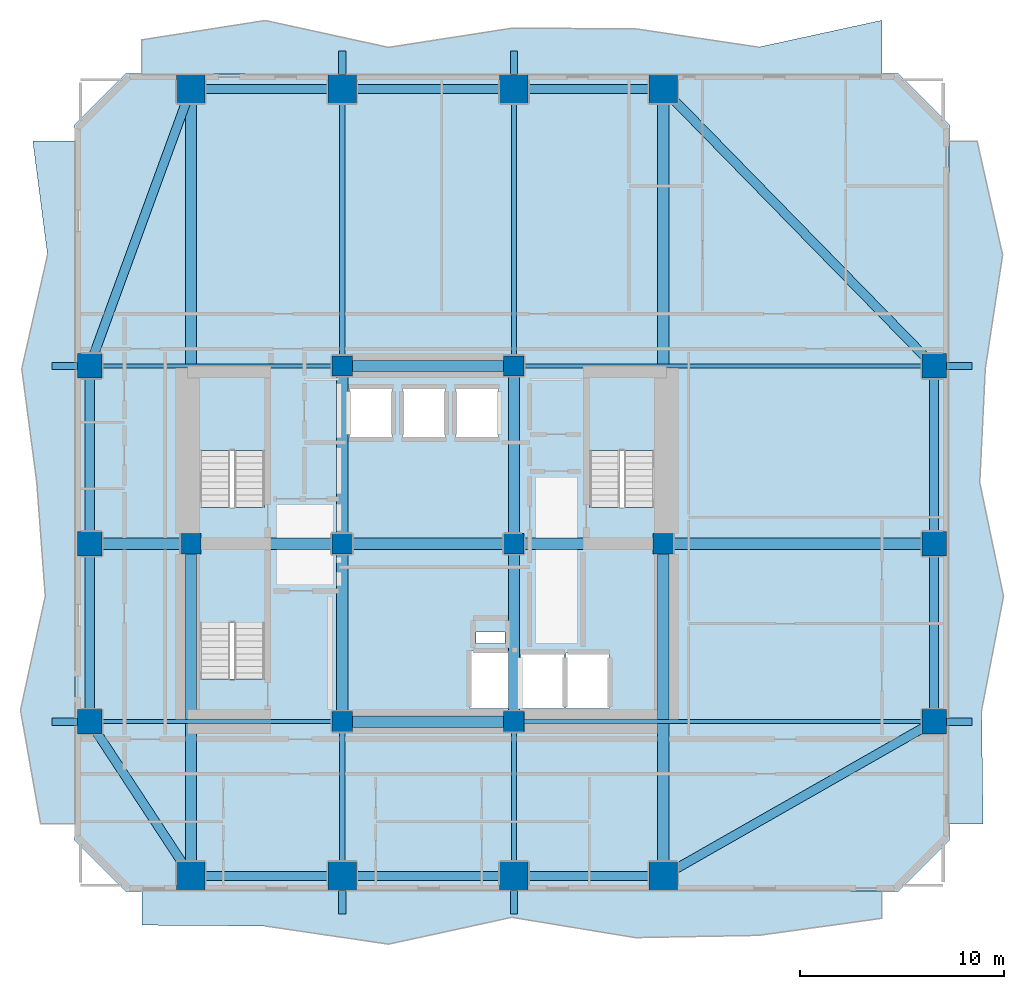
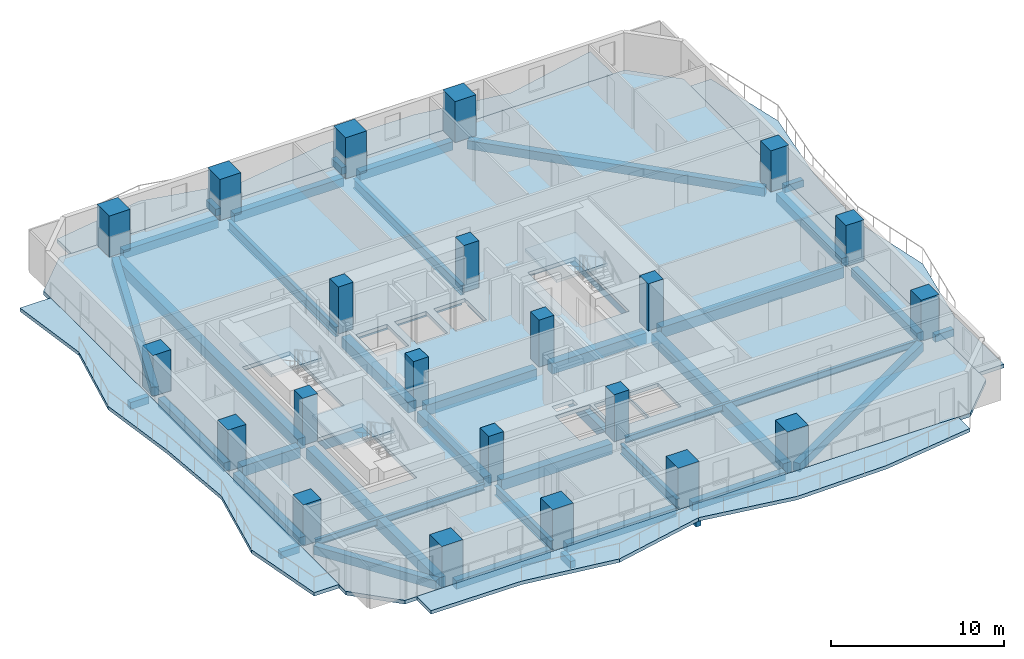
# One storey, part 1 of 10: 45 beams, 22 columns, 8 slabs, 3 elements without a shape of their own.
"""IFC4 building model written with IfcOpenShell, lengths in metres."""

from ifc_helpers import new_model, si_unit, direction, frame, origin, origin_2d, place, context, subcontext, project, spatial, polyline, rectangle, i_section, outline, extrude, material, layer, layer_set, material_profile, profile_set, type_object, element, aggregate, save


model = new_model("IFC4")

# Units and contexts
model_context = context("Model", 3, precision=1e-05, world=origin(), true_north=direction((0.0, 1.0)))
body_context = subcontext(model_context, "Body", "Model", "MODEL_VIEW")
ifc_project = project(units=[si_unit("LENGTHUNIT", "METRE"), si_unit("AREAUNIT", "SQUARE_METRE"), si_unit("VOLUMEUNIT", "CUBIC_METRE"), si_unit("PLANEANGLEUNIT", "RADIAN"), si_unit("MASSUNIT", "GRAM", prefix="KILO")], contexts=[model_context])

# Site, building, storey
site_placement = place(None, origin())
site = spatial("IfcSite", under=ifc_project, at=site_placement, CompositionType="ELEMENT")
building_placement = place(site_placement, origin())
building = spatial("IfcBuilding", under=site, at=building_placement, Name="Solanera Arch Residences", CompositionType="ELEMENT")
storey_placement = place(building_placement, frame((0.0, 0.0, 78.43994140625)))
storey = spatial("IfcBuildingStorey", under=building, at=storey_placement, Name="L22", CompositionType="ELEMENT", Elevation=78.43994140625)

# Columns
ifc_material_1 = material(Name="Concrete C55/67 (f'c = 60 MPa)", Category="concrete")
ifc_material_profile_1 = material_profile(ifc_material_1, rectangle(XDim=1.0, YDim=1.0, at=origin_2d()))
ifc_profile_set_1 = profile_set([ifc_material_profile_1], Name="Concrete C55/67 (f'c = 60 MPa)")
column_type_1 = type_object("IfcColumnType", Name="Structural Column RC-COL-1000X1000", PredefinedType="COLUMN", material=ifc_profile_set_1)
for number, where, z_axis, x_axis, name in (
    (1, (20.800048828125, 22.0, 0.0), (0.0, 0.0, 1.0), (1.0, 0.0, 0.0), "COL-L22-CB-SW"),
    (2, (29.199951171875, 22.0, 0.0), (0.0, 0.0, 1.0), (1.0, 0.0, 0.0), "COL-L22-CB-SE"),
    (3, (20.800048828125, 39.39990234375, 0.0), (0.0, 0.0, 1.0), (1.0, 0.0, 0.0), "COL-L22-CB-NW"),
    (4, (29.199951171875, 39.39990234375, 0.0), (0.0, 0.0, 1.0), (1.0, 0.0, 0.0), "COL-L22-CB-NE"),
    (5, (13.39990234375, 30.699951171875, 0.0), (0.0, 0.0, 1.0), (1.0, 0.0, 0.0), "COL-L22-CB-WW"),
    (6, (36.5, 30.699951171875, 0.0), (0.0, 0.0, 1.0), (1.0, 0.0, 0.0), "COL-L22-CB-EE"),
    (7, (20.800048828125, 30.699951171875, 0.0), (0.0, 0.0, 1.0), (1.0, 0.0, 0.0), "COL-L22-CORE-W"),
    (8, (29.199951171875, 30.699951171875, 0.0), (0.0, 0.0, 1.0), (1.0, 0.0, 0.0), "COL-L22-CORE-E"),
):
    element("IfcColumn", number, at=place(storey_placement, frame(where, z_axis=z_axis, x_axis=x_axis)), inside=storey, type_object=column_type_1, Name=name, PredefinedType="COLUMN", context=body_context, shape_type="SweptSolid", body=[
        extrude(rectangle(XDim=1.0, YDim=1.0, at=origin_2d()), origin(), (0.0, 0.0, 1.0), 3.320068359375),
    ])
ifc_material_2 = material(Name="Concrete C55/67 (f'c = 60 MPa)", Category="concrete")
ifc_material_profile_2 = material_profile(ifc_material_2, rectangle(XDim=1.199951171875, YDim=1.199951171875, at=origin_2d()))
ifc_profile_set_2 = profile_set([ifc_material_profile_2], Name="Concrete C55/67 (f'c = 60 MPa)")
column_type_2 = type_object("IfcColumnType", Name="Structural Column RC-COL-1200X1200", PredefinedType="COLUMN", material=ifc_profile_set_2)
for number, where, z_axis, x_axis, name in (
    (9, (8.449951171875, 22.0, 0.0), (0.0, 0.0, 1.0), (1.0, 0.0, 0.0), "COL-L22-TWR-09"),
    (10, (49.75, 22.0, 0.0), (0.0, 0.0, 1.0), (1.0, 0.0, 0.0), "COL-L22-TWR-10"),
    (11, (8.449951171875, 30.699951171875, 0.0), (0.0, 0.0, 1.0), (1.0, 0.0, 0.0), "COL-L22-TWR-11"),
    (12, (49.75, 30.699951171875, 0.0), (0.0, 0.0, 1.0), (1.0, 0.0, 0.0), "COL-L22-TWR-12"),
    (13, (8.449951171875, 39.39990234375, 0.0), (0.0, 0.0, 1.0), (1.0, 0.0, 0.0), "COL-L22-TWR-13"),
    (14, (49.75, 39.39990234375, 0.0), (0.0, 0.0, 1.0), (1.0, 0.0, 0.0), "COL-L22-TWR-14"),
):
    element("IfcColumn", number, at=place(storey_placement, frame(where, z_axis=z_axis, x_axis=x_axis)), inside=storey, type_object=column_type_2, Name=name, PredefinedType="COLUMN", context=body_context, shape_type="SweptSolid", body=[
        extrude(rectangle(XDim=1.199951171875, YDim=1.199951171875, at=origin_2d()), origin(), (0.0, 0.0, 1.0), 2.900146484375),
    ])
ifc_material_3 = material(Name="Concrete C55/67 (f'c = 60 MPa)", Category="concrete")
ifc_material_profile_3 = material_profile(ifc_material_3, rectangle(XDim=1.39990234375, YDim=1.39990234375, at=origin_2d()))
ifc_profile_set_3 = profile_set([ifc_material_profile_3], Name="Concrete C55/67 (f'c = 60 MPa)")
column_type_3 = type_object("IfcColumnType", Name="Structural Column RC-COL-1400X1400", PredefinedType="COLUMN", material=ifc_profile_set_3)
for number, where, z_axis, x_axis, name in (
    (15, (13.39990234375, 14.449951171875, 0.0), (0.0, 0.0, 1.0), (1.0, 0.0, 0.0), "COL-L22-TWR-01"),
    (16, (13.39990234375, 52.949951171875, 0.0), (0.0, 0.0, 1.0), (1.0, 0.0, 0.0), "COL-L22-TWR-02"),
    (17, (20.800048828125, 14.449951171875, 0.0), (0.0, 0.0, 1.0), (1.0, 0.0, 0.0), "COL-L22-TWR-03"),
    (18, (20.800048828125, 52.949951171875, 0.0), (0.0, 0.0, 1.0), (1.0, 0.0, 0.0), "COL-L22-TWR-04"),
    (19, (29.199951171875, 14.449951171875, 0.0), (0.0, 0.0, 1.0), (1.0, 0.0, 0.0), "COL-L22-TWR-05"),
    (20, (29.199951171875, 52.949951171875, 0.0), (0.0, 0.0, 1.0), (1.0, 0.0, 0.0), "COL-L22-TWR-06"),
    (21, (36.5, 14.449951171875, 0.0), (0.0, 0.0, 1.0), (1.0, 0.0, 0.0), "COL-L22-TWR-07"),
    (22, (36.5, 52.949951171875, 0.0), (0.0, 0.0, 1.0), (1.0, 0.0, 0.0), "COL-L22-TWR-08"),
):
    element("IfcColumn", number, at=place(storey_placement, frame(where, z_axis=z_axis, x_axis=x_axis)), inside=storey, type_object=column_type_3, Name=name, PredefinedType="COLUMN", context=body_context, shape_type="SweptSolid", body=[
        extrude(rectangle(XDim=1.39990234375, YDim=1.39990234375, at=origin_2d()), origin(), (0.0, 0.0, 1.0), 2.900146484375),
    ])

# Beams
ifc_material_4 = material(Name="Concrete C40/50 (f'c = 45 MPa)", Category="concrete")
ifc_material_profile_4 = material_profile(ifc_material_4, rectangle(XDim=0.35009765625, YDim=0.5, at=origin_2d()))
ifc_profile_set_4 = profile_set([ifc_material_profile_4], Name="Concrete C40/50 (f'c = 45 MPa)")
beam_type_1 = type_object("IfcBeamType", Name="BM-BALC-RIB", PredefinedType="BEAM", material=ifc_profile_set_4)
for number, where, z_axis, x_axis, name in (
    (23, (20.800048828125, 12.60009765625, -0.5), (0.0, 1.0, 0.0), (-1.0, 0.0, 0.0), "BM-L22-BRIB-S1"),
    (24, (29.199951171875, 12.60009765625, -0.5), (0.0, 1.0, 0.0), (-1.0, 0.0, 0.0), "BM-L22-BRIB-S2"),
):
    element("IfcBeam", number, at=place(storey_placement, frame(where, z_axis=z_axis, x_axis=x_axis)), inside=storey, type_object=beam_type_1, Name=name, PredefinedType="BEAM", context=body_context, shape_type="SweptSolid", body=[
        extrude(rectangle(XDim=0.35009765625, YDim=0.5, at=origin_2d()), origin(), (0.0, 0.0, 1.0), 1.14990234375),
    ])
for number, where, z_axis, x_axis, name in (
    (25, (20.800048828125, 53.64990234375, -0.5), (0.0, 1.0, 0.0), (-1.0, 0.0, 0.0), "BM-L22-BRIB-N1"),
    (26, (29.199951171875, 53.64990234375, -0.5), (0.0, 1.0, 0.0), (-1.0, 0.0, 0.0), "BM-L22-BRIB-N2"),
):
    element("IfcBeam", number, at=place(storey_placement, frame(where, z_axis=z_axis, x_axis=x_axis)), inside=storey, type_object=beam_type_1, Name=name, PredefinedType="BEAM", context=body_context, shape_type="SweptSolid", body=[
        extrude(rectangle(XDim=0.35009765625, YDim=0.5, at=origin_2d()), origin(), (0.0, 0.0, 1.0), 1.150146484375),
    ])
for number, where, z_axis, x_axis, name in (
    (27, (50.35009765625, 22.0, -0.5), (1.0, 0.0, 0.0), (0.0, 1.0, 0.0), "BM-L22-BRIB-E1"),
    (28, (50.35009765625, 39.39990234375, -0.5), (1.0, 0.0, 0.0), (0.0, 1.0, 0.0), "BM-L22-BRIB-E2"),
    (29, (6.60009765625, 22.0, -0.5), (1.0, 0.0, 0.0), (0.0, 1.0, 0.0), "BM-L22-BRIB-W1"),
    (30, (6.60009765625, 39.39990234375, -0.5), (1.0, 0.0, 0.0), (0.0, 1.0, 0.0), "BM-L22-BRIB-W2"),
):
    element("IfcBeam", number, at=place(storey_placement, frame(where, z_axis=z_axis, x_axis=x_axis)), inside=storey, type_object=beam_type_1, Name=name, PredefinedType="BEAM", context=body_context, shape_type="SweptSolid", body=[
        extrude(rectangle(XDim=0.35009765625, YDim=0.5, at=origin_2d()), origin(), (0.0, 0.0, 1.0), 1.25),
    ])
ifc_material_5 = material(Name="Concrete C40/50 (f'c = 45 MPa)", Category="concrete")
ifc_material_profile_5 = material_profile(ifc_material_5, rectangle(XDim=0.550048828125, YDim=0.75, at=origin_2d()))
ifc_profile_set_5 = profile_set([ifc_material_profile_5], Name="Concrete C40/50 (f'c = 45 MPa)")
beam_type_2 = type_object("IfcBeamType", Name="Primary Beam RC-BM-550X750", PredefinedType="BEAM", material=ifc_profile_set_5)
beam_1_placement = place(storey_placement, frame((20.800048828125, 22.50390625, -0.635009765625), z_axis=(0.0, 1.0, 0.0), x_axis=(-1.0, 0.0, 0.0)))
element("IfcBeam", 31, at=beam_1_placement, inside=storey, type_object=beam_type_2, Name="BM-L22-CC-S-208", PredefinedType="BEAM", context=body_context, shape_type="SweptSolid", body=[
    extrude(rectangle(XDim=0.550048828125, YDim=0.75, at=origin_2d()), origin(), (0.0, 0.0, 1.0), 7.692138671875),
])
beam_2_placement = place(storey_placement, frame((20.800048828125, 31.2041015625, -0.635009765625), z_axis=(0.0, 1.0, 0.0), x_axis=(-1.0, 0.0, 0.0)))
element("IfcBeam", 32, at=beam_2_placement, inside=storey, type_object=beam_type_2, Name="BM-L22-CC-N-208", PredefinedType="BEAM", context=body_context, shape_type="SweptSolid", body=[
    extrude(rectangle(XDim=0.550048828125, YDim=0.75, at=origin_2d()), origin(), (0.0, 0.0, 1.0), 7.69189453125),
])
beam_3_placement = place(storey_placement, frame((29.199951171875, 22.50390625, -0.635009765625), z_axis=(0.0, 1.0, 0.0), x_axis=(-1.0, 0.0, 0.0)))
element("IfcBeam", 33, at=beam_3_placement, inside=storey, type_object=beam_type_2, Name="BM-L22-CC-S-292", PredefinedType="BEAM", context=body_context, shape_type="SweptSolid", body=[
    extrude(rectangle(XDim=0.550048828125, YDim=0.75, at=origin_2d()), origin(), (0.0, 0.0, 1.0), 7.692138671875),
])
beam_4_placement = place(storey_placement, frame((29.199951171875, 31.2041015625, -0.635009765625), z_axis=(0.0, 1.0, 0.0), x_axis=(-1.0, 0.0, 0.0)))
element("IfcBeam", 34, at=beam_4_placement, inside=storey, type_object=beam_type_2, Name="BM-L22-CC-N-292", PredefinedType="BEAM", context=body_context, shape_type="SweptSolid", body=[
    extrude(rectangle(XDim=0.550048828125, YDim=0.75, at=origin_2d()), origin(), (0.0, 0.0, 1.0), 7.69189453125),
])
for number, where, z_axis, x_axis, name in (
    (35, (21.303955078125, 22.0, -0.635009765625), (1.0, 0.0, 0.0), (0.0, 1.0, 0.0), "BM-L22-CC-M-220"),
    (36, (21.303955078125, 30.699951171875, -0.635009765625), (1.0, 0.0, 0.0), (0.0, 1.0, 0.0), "BM-L22-CC-M-307"),
    (37, (21.303955078125, 39.39990234375, -0.635009765625), (1.0, 0.0, 0.0), (0.0, 1.0, 0.0), "BM-L22-CC-M-394"),
):
    element("IfcBeam", number, at=place(storey_placement, frame(where, z_axis=z_axis, x_axis=x_axis)), inside=storey, type_object=beam_type_2, Name=name, PredefinedType="BEAM", context=body_context, shape_type="SweptSolid", body=[
        extrude(rectangle(XDim=0.550048828125, YDim=0.75, at=origin_2d()), origin(), (0.0, 0.0, 1.0), 7.39208984375),
    ])
beam_5_placement = place(storey_placement, frame((13.904052734375, 30.699951171875, -0.635009765625), z_axis=(1.0, 0.0, 0.0), x_axis=(0.0, 1.0, 0.0)))
element("IfcBeam", 38, at=beam_5_placement, inside=storey, type_object=beam_type_2, Name="BM-L22-CC-W", PredefinedType="BEAM", context=body_context, shape_type="SweptSolid", body=[
    extrude(rectangle(XDim=0.550048828125, YDim=0.75, at=origin_2d()), origin(), (0.0, 0.0, 1.0), 6.391845703125),
])
beam_6_placement = place(storey_placement, frame((29.7041015625, 30.699951171875, -0.635009765625), z_axis=(1.0, 0.0, 0.0), x_axis=(0.0, 1.0, 0.0)))
element("IfcBeam", 39, at=beam_6_placement, inside=storey, type_object=beam_type_2, Name="BM-L22-CC-E", PredefinedType="BEAM", context=body_context, shape_type="SweptSolid", body=[
    extrude(rectangle(XDim=0.550048828125, YDim=0.75, at=origin_2d()), origin(), (0.0, 0.0, 1.0), 6.2919921875),
])
beam_7_placement = place(storey_placement, frame((13.39990234375, 14.989990234375, -0.635009765625), z_axis=(0.0, 1.0, 0.0), x_axis=(-1.0, 0.0, 0.0)))
element("IfcBeam", 40, at=beam_7_placement, inside=storey, type_object=beam_type_2, Name="BM-L22-RAD-OS-134", PredefinedType="BEAM", context=body_context, shape_type="SweptSolid", body=[
    extrude(rectangle(XDim=0.550048828125, YDim=0.75, at=origin_2d()), origin(), (0.0, 0.0, 1.0), 15.2060546875),
])
beam_8_placement = place(storey_placement, frame((13.39990234375, 31.2041015625, -0.635009765625), z_axis=(0.0, 1.0, 0.0), x_axis=(-1.0, 0.0, 0.0)))
element("IfcBeam", 41, at=beam_8_placement, inside=storey, type_object=beam_type_2, Name="BM-L22-RAD-ON-134", PredefinedType="BEAM", context=body_context, shape_type="SweptSolid", body=[
    extrude(rectangle(XDim=0.550048828125, YDim=0.75, at=origin_2d()), origin(), (0.0, 0.0, 1.0), 21.205810546875),
])
beam_9_placement = place(storey_placement, frame((36.5, 14.989990234375, -0.635009765625), z_axis=(0.0, 1.0, 0.0), x_axis=(-1.0, 0.0, 0.0)))
element("IfcBeam", 42, at=beam_9_placement, inside=storey, type_object=beam_type_2, Name="BM-L22-RAD-OS-365", PredefinedType="BEAM", context=body_context, shape_type="SweptSolid", body=[
    extrude(rectangle(XDim=0.550048828125, YDim=0.75, at=origin_2d()), origin(), (0.0, 0.0, 1.0), 15.2060546875),
])
beam_10_placement = place(storey_placement, frame((36.5, 31.2041015625, -0.635009765625), z_axis=(0.0, 1.0, 0.0), x_axis=(-1.0, 0.0, 0.0)))
element("IfcBeam", 43, at=beam_10_placement, inside=storey, type_object=beam_type_2, Name="BM-L22-RAD-ON-365", PredefinedType="BEAM", context=body_context, shape_type="SweptSolid", body=[
    extrude(rectangle(XDim=0.550048828125, YDim=0.75, at=origin_2d()), origin(), (0.0, 0.0, 1.0), 21.205810546875),
])
beam_11_placement = place(storey_placement, frame((8.989990234375, 30.699951171875, -0.635009765625), z_axis=(1.0, 0.0, 0.0), x_axis=(0.0, 1.0, 0.0)))
element("IfcBeam", 44, at=beam_11_placement, inside=storey, type_object=beam_type_2, Name="BM-L22-RAD-MW", PredefinedType="BEAM", context=body_context, shape_type="SweptSolid", body=[
    extrude(rectangle(XDim=0.550048828125, YDim=0.75, at=origin_2d()), origin(), (0.0, 0.0, 1.0), 3.906005859375),
])
beam_12_placement = place(storey_placement, frame((37.00390625, 30.699951171875, -0.635009765625), z_axis=(1.0, 0.0, 0.0), x_axis=(0.0, 1.0, 0.0)))
element("IfcBeam", 45, at=beam_12_placement, inside=storey, type_object=beam_type_2, Name="BM-L22-RAD-ME", PredefinedType="BEAM", context=body_context, shape_type="SweptSolid", body=[
    extrude(rectangle(XDim=0.550048828125, YDim=0.75, at=origin_2d()), origin(), (0.0, 0.0, 1.0), 12.2060546875),
])
ifc_material_6 = material(Name="Steel S355 (ASTM A992 / A572 Grade 50)", Category="steel")
ifc_material_profile_6 = material_profile(ifc_material_6, i_section(OverallWidth=0.256103515625, OverallDepth=0.693115234375, WebThickness=0.014404296875, FlangeThickness=0.023681640625, at=origin_2d()))
ifc_profile_set_6 = profile_set([ifc_material_profile_6], Name="Steel S355 (ASTM A992 / A572 Grade 50)")
beam_type_3 = type_object("IfcBeamType", Name="Primary Beam W690X170", PredefinedType="BEAM", material=ifc_profile_set_6)
beam_13_placement = place(storey_placement, frame((20.800048828125, 14.989990234375, -0.60595703125), z_axis=(0.0, 1.0, 0.0), x_axis=(-1.0, 0.0, 0.0)))
element("IfcBeam", 46, at=beam_13_placement, inside=storey, type_object=beam_type_3, Name="BM-L22-RAD-S-208", PredefinedType="BEAM", context=body_context, shape_type="SweptSolid", body=[
    extrude(i_section(OverallWidth=0.256103515625, OverallDepth=0.693115234375, WebThickness=0.014404296875, FlangeThickness=0.023681640625, at=origin_2d()), origin(), (0.0, 0.0, 1.0), 6.506103515625),
])
beam_14_placement = place(storey_placement, frame((20.800048828125, 39.904052734375, -0.60595703125), z_axis=(0.0, 1.0, 0.0), x_axis=(-1.0, 0.0, 0.0)))
element("IfcBeam", 47, at=beam_14_placement, inside=storey, type_object=beam_type_3, Name="BM-L22-RAD-N-208", PredefinedType="BEAM", context=body_context, shape_type="SweptSolid", body=[
    extrude(i_section(OverallWidth=0.256103515625, OverallDepth=0.693115234375, WebThickness=0.014404296875, FlangeThickness=0.023681640625, at=origin_2d()), origin(), (0.0, 0.0, 1.0), 12.505859375),
])
beam_15_placement = place(storey_placement, frame((29.199951171875, 14.989990234375, -0.60595703125), z_axis=(0.0, 1.0, 0.0), x_axis=(-1.0, 0.0, 0.0)))
element("IfcBeam", 48, at=beam_15_placement, inside=storey, type_object=beam_type_3, Name="BM-L22-RAD-S-292", PredefinedType="BEAM", context=body_context, shape_type="SweptSolid", body=[
    extrude(i_section(OverallWidth=0.256103515625, OverallDepth=0.693115234375, WebThickness=0.014404296875, FlangeThickness=0.023681640625, at=origin_2d()), origin(), (0.0, 0.0, 1.0), 6.506103515625),
])
beam_16_placement = place(storey_placement, frame((29.199951171875, 39.904052734375, -0.60595703125), z_axis=(0.0, 1.0, 0.0), x_axis=(-1.0, 0.0, 0.0)))
element("IfcBeam", 49, at=beam_16_placement, inside=storey, type_object=beam_type_3, Name="BM-L22-RAD-N-292", PredefinedType="BEAM", context=body_context, shape_type="SweptSolid", body=[
    extrude(i_section(OverallWidth=0.256103515625, OverallDepth=0.693115234375, WebThickness=0.014404296875, FlangeThickness=0.023681640625, at=origin_2d()), origin(), (0.0, 0.0, 1.0), 12.505859375),
])
ifc_material_7 = material(Name="Steel S355 (ASTM A992 / A572 Grade 50)", Category="steel")
ifc_material_profile_7 = material_profile(ifc_material_7, i_section(OverallWidth=0.19091796875, OverallDepth=0.4599609375, WebThickness=0.010009765625, FlangeThickness=0.01611328125, at=origin_2d()))
ifc_profile_set_7 = profile_set([ifc_material_profile_7], Name="Steel S355 (ASTM A992 / A572 Grade 50)")
beam_type_4 = type_object("IfcBeamType", Name="Secondary Joist W460X82", PredefinedType="JOIST", material=ifc_profile_set_7)
beam_17_placement = place(storey_placement, frame((8.989990234375, 22.0, -0.489990234375), z_axis=(1.0, 0.0, 0.0), x_axis=(0.0, 1.0, 0.0)))
element("IfcBeam", 50, at=beam_17_placement, inside=storey, type_object=beam_type_4, Name="BM-L22-RAD-W-220", PredefinedType="JOIST", context=body_context, shape_type="SweptSolid", body=[
    extrude(i_section(OverallWidth=0.19091796875, OverallDepth=0.4599609375, WebThickness=0.010009765625, FlangeThickness=0.01611328125, at=origin_2d()), origin(), (0.0, 0.0, 1.0), 11.305908203125),
])
beam_18_placement = place(storey_placement, frame((29.7041015625, 22.0, -0.489990234375), z_axis=(1.0, 0.0, 0.0), x_axis=(0.0, 1.0, 0.0)))
element("IfcBeam", 51, at=beam_18_placement, inside=storey, type_object=beam_type_4, Name="BM-L22-RAD-E-220", PredefinedType="JOIST", context=body_context, shape_type="SweptSolid", body=[
    extrude(i_section(OverallWidth=0.19091796875, OverallDepth=0.4599609375, WebThickness=0.010009765625, FlangeThickness=0.01611328125, at=origin_2d()), origin(), (0.0, 0.0, 1.0), 19.505859375),
])
beam_19_placement = place(storey_placement, frame((8.989990234375, 39.39990234375, -0.489990234375), z_axis=(1.0, 0.0, 0.0), x_axis=(0.0, 1.0, 0.0)))
element("IfcBeam", 52, at=beam_19_placement, inside=storey, type_object=beam_type_4, Name="BM-L22-RAD-W-394", PredefinedType="JOIST", context=body_context, shape_type="SweptSolid", body=[
    extrude(i_section(OverallWidth=0.19091796875, OverallDepth=0.4599609375, WebThickness=0.010009765625, FlangeThickness=0.01611328125, at=origin_2d()), origin(), (0.0, 0.0, 1.0), 11.305908203125),
])
beam_20_placement = place(storey_placement, frame((29.7041015625, 39.39990234375, -0.489990234375), z_axis=(1.0, 0.0, 0.0), x_axis=(0.0, 1.0, 0.0)))
element("IfcBeam", 53, at=beam_20_placement, inside=storey, type_object=beam_type_4, Name="BM-L22-RAD-E-394", PredefinedType="JOIST", context=body_context, shape_type="SweptSolid", body=[
    extrude(i_section(OverallWidth=0.19091796875, OverallDepth=0.4599609375, WebThickness=0.010009765625, FlangeThickness=0.01611328125, at=origin_2d()), origin(), (0.0, 0.0, 1.0), 19.505859375),
])
ifc_material_8 = material(Name="Concrete C40/50 (f'c = 45 MPa)", Category="concrete")
ifc_material_profile_8 = material_profile(ifc_material_8, rectangle(XDim=0.449951171875, YDim=0.60009765625, at=origin_2d()))
ifc_profile_set_8 = profile_set([ifc_material_profile_8], Name="Concrete C40/50 (f'c = 45 MPa)")
beam_type_5 = type_object("IfcBeamType", Name="Spandrel Beam RC-BM-450X600", PredefinedType="SPANDREL", material=ifc_profile_set_8)
for number, where, z_axis, x_axis, name in (
    (54, (13.93994140625, 14.449951171875, -0.56005859375), (1.0, 0.0, 0.0), (0.0, 1.0, 0.0), "BM-L22-SPN-S-1"),
    (55, (13.93994140625, 52.949951171875, -0.56005859375), (1.0, 0.0, 0.0), (0.0, 1.0, 0.0), "BM-L22-SPN-N-1"),
):
    element("IfcBeam", number, at=place(storey_placement, frame(where, z_axis=z_axis, x_axis=x_axis)), inside=storey, type_object=beam_type_5, Name=name, PredefinedType="SPANDREL", context=body_context, shape_type="SweptSolid", body=[
        extrude(rectangle(XDim=0.449951171875, YDim=0.60009765625, at=origin_2d()), origin(), (0.0, 0.0, 1.0), 6.320068359375),
    ])
for number, where, z_axis, x_axis, name in (
    (56, (21.340087890625, 14.449951171875, -0.56005859375), (1.0, 0.0, 0.0), (0.0, 1.0, 0.0), "BM-L22-SPN-S-2"),
    (57, (21.340087890625, 52.949951171875, -0.56005859375), (1.0, 0.0, 0.0), (0.0, 1.0, 0.0), "BM-L22-SPN-N-2"),
):
    element("IfcBeam", number, at=place(storey_placement, frame(where, z_axis=z_axis, x_axis=x_axis)), inside=storey, type_object=beam_type_5, Name=name, PredefinedType="SPANDREL", context=body_context, shape_type="SweptSolid", body=[
        extrude(rectangle(XDim=0.449951171875, YDim=0.60009765625, at=origin_2d()), origin(), (0.0, 0.0, 1.0), 7.31982421875),
    ])
for number, where, z_axis, x_axis, name in (
    (58, (29.739990234375, 14.449951171875, -0.56005859375), (1.0, 0.0, 0.0), (0.0, 1.0, 0.0), "BM-L22-SPN-S-3"),
    (59, (29.739990234375, 52.949951171875, -0.56005859375), (1.0, 0.0, 0.0), (0.0, 1.0, 0.0), "BM-L22-SPN-N-3"),
):
    element("IfcBeam", number, at=place(storey_placement, frame(where, z_axis=z_axis, x_axis=x_axis)), inside=storey, type_object=beam_type_5, Name=name, PredefinedType="SPANDREL", context=body_context, shape_type="SweptSolid", body=[
        extrude(rectangle(XDim=0.449951171875, YDim=0.60009765625, at=origin_2d()), origin(), (0.0, 0.0, 1.0), 6.219970703125),
    ])
for number, where, z_axis, x_axis, name in (
    (60, (8.449951171875, 22.5400390625, -0.56005859375), (0.0, 1.0, 0.0), (-1.0, 0.0, 0.0), "BM-L22-SPN-W-1"),
    (61, (49.75, 22.5400390625, -0.56005859375), (0.0, 1.0, 0.0), (-1.0, 0.0, 0.0), "BM-L22-SPN-E-1"),
):
    element("IfcBeam", number, at=place(storey_placement, frame(where, z_axis=z_axis, x_axis=x_axis)), inside=storey, type_object=beam_type_5, Name=name, PredefinedType="SPANDREL", context=body_context, shape_type="SweptSolid", body=[
        extrude(rectangle(XDim=0.449951171875, YDim=0.60009765625, at=origin_2d()), origin(), (0.0, 0.0, 1.0), 7.619873046875),
    ])
for number, where, z_axis, x_axis, name in (
    (62, (8.449951171875, 31.239990234375, -0.56005859375), (0.0, 1.0, 0.0), (-1.0, 0.0, 0.0), "BM-L22-SPN-W-2"),
    (63, (49.75, 31.239990234375, -0.56005859375), (0.0, 1.0, 0.0), (-1.0, 0.0, 0.0), "BM-L22-SPN-E-2"),
):
    element("IfcBeam", number, at=place(storey_placement, frame(where, z_axis=z_axis, x_axis=x_axis)), inside=storey, type_object=beam_type_5, Name=name, PredefinedType="SPANDREL", context=body_context, shape_type="SweptSolid", body=[
        extrude(rectangle(XDim=0.449951171875, YDim=0.60009765625, at=origin_2d()), origin(), (0.0, 0.0, 1.0), 7.6201171875),
    ])
beam_21_placement = place(storey_placement, frame((13.10400390625, 14.902099609375, -0.56005859375), z_axis=(-0.548346397052, 0.836251295269, 0.0), x_axis=(-0.836251295269, -0.548346397052, 0.0)))
element("IfcBeam", 64, at=beam_21_placement, inside=storey, type_object=beam_type_5, Name="BM-L22-SPN-SW", PredefinedType="SPANDREL", context=body_context, shape_type="SweptSolid", body=[
    extrude(rectangle(XDim=0.449951171875, YDim=0.60009765625, at=origin_2d()), origin(), (0.0, 0.0, 1.0), 7.947265625),
])
beam_22_placement = place(storey_placement, frame((13.215087890625, 52.443115234375, -0.56005859375), z_axis=(-0.343164401189, -0.939275355663, 0.0), x_axis=(0.939275355663, -0.343164401189, 0.0)))
element("IfcBeam", 65, at=beam_22_placement, inside=storey, type_object=beam_type_5, Name="BM-L22-SPN-NW", PredefinedType="SPANDREL", context=body_context, shape_type="SweptSolid", body=[
    extrude(rectangle(XDim=0.449951171875, YDim=0.60009765625, at=origin_2d()), origin(), (0.0, 0.0, 1.0), 13.3466796875),
])
beam_23_placement = place(storey_placement, frame((36.968994140625, 14.717041015625, -0.56005859375), z_axis=(0.868837301814, 0.495097710534, 0.0), x_axis=(-0.495097710534, 0.868837301814, 0.0)))
element("IfcBeam", 66, at=beam_23_placement, inside=storey, type_object=beam_type_5, Name="BM-L22-SPN-SE", PredefinedType="SPANDREL", context=body_context, shape_type="SweptSolid", body=[
    extrude(rectangle(XDim=0.449951171875, YDim=0.60009765625, at=origin_2d()), origin(), (0.0, 0.0, 1.0), 14.170654296875),
])
beam_24_placement = place(storey_placement, frame((36.8779296875, 52.56396484375, -0.56005859375), z_axis=(0.699118252724, -0.715006062008, 0.0), x_axis=(0.715006062008, 0.699118252724, 0.0)))
element("IfcBeam", 67, at=beam_24_placement, inside=storey, type_object=beam_type_5, Name="BM-L22-SPN-NE", PredefinedType="SPANDREL", context=body_context, shape_type="SweptSolid", body=[
    extrude(rectangle(XDim=0.449951171875, YDim=0.60009765625, at=origin_2d()), origin(), (0.0, 0.0, 1.0), 17.871337890625),
])

# Slabs
ifc_material_9 = material(Name="Concrete C40/50 (f'c = 45 MPa)", Category="concrete")
ifc_layer_1 = layer(ifc_material_9, 0.25)
ifc_layer_set_1 = layer_set([ifc_layer_1], Name="Concrete C40/50 (f'c = 45 MPa)")
slab_type_1 = type_object("IfcSlabType", Name="Balcony Slab 250", PredefinedType="FLOOR", material=ifc_layer_set_1)
slab_1_placement = place(storey_placement, frame((0.0, 0.0, -0.25)))
element("IfcSlab", 68, at=slab_1_placement, inside=storey, type_object=slab_type_1, Name="L22 S Rippling Brise-Soleil Balcony Slab", PredefinedType="FLOOR", context=body_context, shape_type="SweptSolid", body=[
    extrude(outline(polyline([(11.0, 12.049072265625), (17.032958984375, 12.006103515625), (23.06689453125, 11.118896484375), (29.10009765625, 12.431884765625), (35.133056640625, 11.43798828125), (41.1669921875, 11.549072265625), (47.199951171875, 12.384033203125), (47.199951171875, 13.719970703125), (11.0, 13.719970703125), (11.0, 12.049072265625)])), origin(), (0.0, 0.0, 1.0), 0.25),
])
slab_2_placement = place(storey_placement, frame((0.0, 0.0, -0.25)))
element("IfcSlab", 69, at=slab_2_placement, inside=storey, type_object=slab_type_1, Name="L22 N Rippling Brise-Soleil Balcony Slab", PredefinedType="FLOOR", context=body_context, shape_type="SweptSolid", body=[
    extrude(outline(polyline([(47.199951171875, 56.30908203125), (41.1669921875, 54.9951171875), (35.133056640625, 55.89404296875), (29.10009765625, 55.919921875), (23.06689453125, 54.98388671875), (17.032958984375, 56.299072265625), (11.0, 55.35107421875), (11.0, 53.679931640625), (47.199951171875, 53.679931640625), (47.199951171875, 56.30908203125)])), origin(), (0.0, 0.0, 1.0), 0.25),
])
slab_3_placement = place(storey_placement, frame((0.0, 0.0, -0.25)))
element("IfcSlab", 70, at=slab_3_placement, inside=storey, type_object=slab_type_1, Name="L22 E Rippling Brise-Soleil Balcony Slab", PredefinedType="FLOOR", context=body_context, shape_type="SweptSolid", body=[
    extrude(outline(polyline([(52.15087890625, 17.0), (52.076904296875, 22.56689453125), (53.14794921875, 28.133056640625), (51.986083984375, 33.699951171875), (52.256103515625, 39.26708984375), (53.10595703125, 44.8330078125), (51.85498046875, 50.39990234375), (50.47998046875, 50.39990234375), (50.47998046875, 17.0), (52.15087890625, 17.0)])), origin(), (0.0, 0.0, 1.0), 0.25),
])
slab_4_placement = place(storey_placement, frame((0.0, 0.0, -0.25)))
element("IfcSlab", 71, at=slab_4_placement, inside=storey, type_object=slab_type_1, Name="L22 W Rippling Brise-Soleil Balcony Slab", PredefinedType="FLOOR", context=body_context, shape_type="SweptSolid", body=[
    extrude(outline(polyline([(5.6669921875, 50.39990234375), (6.387939453125, 44.8330078125), (5.126953125, 39.26708984375), (5.862060546875, 33.699951171875), (6.27490234375, 28.133056640625), (5.06396484375, 22.56689453125), (6.049072265625, 17.0), (7.719970703125, 17.0), (7.719970703125, 50.39990234375), (5.6669921875, 50.39990234375)])), origin(), (0.0, 0.0, 1.0), 0.25),
])

# Stair, slab
ifc_material_10 = material(Name="Concrete C40/50 (f'c = 45 MPa)", Category="concrete")
stair_type = type_object("IfcStairType", Name="Tower Dogleg Exit Stair 1480", PredefinedType="HALF_TURN_STAIR", material=ifc_material_10)
stair_1_placement = place(storey_placement, origin())
stair_1 = element("IfcStair", 72, at=stair_1_placement, inside=storey, type_object=stair_type, Name="L22 Tower Core Exit Stair 1", PredefinedType="HALF_TURN_STAIR")
ifc_material_11 = material(Name="Concrete C40/50 (f'c = 45 MPa)", Category="concrete")
ifc_layer_2 = layer(ifc_material_11, 0.199951171875)
ifc_layer_set_2 = layer_set([ifc_layer_2], Name="Concrete C40/50 (f'c = 45 MPa)")
slab_type_2 = type_object("IfcSlabType", Name="Stair Half-Landing Slab 200", PredefinedType="LANDING", material=ifc_layer_set_2)
slab_5_placement = place(storey_placement, frame((0.0, 0.0, 1.4599609375)))
slab_5 = element("IfcSlab", 73, at=slab_5_placement, type_object=slab_type_2, Name="ST-T1 landing 1", PredefinedType="LANDING", context=body_context, shape_type="SweptSolid", body=[
    extrude(outline(polyline([(17.1201171875, 35.260009765625), (17.1201171875, 38.919921875), (13.719970703125, 38.919921875), (13.719970703125, 35.260009765625), (17.1201171875, 35.260009765625)])), origin(), (0.0, 0.0, 1.0), 0.2001953125),
])
aggregate(stair_1, [slab_5])

stair_2_placement = place(storey_placement, origin())
stair_2 = element("IfcStair", 74, at=stair_2_placement, inside=storey, type_object=stair_type, Name="L22 Tower Core Exit Stair 2", PredefinedType="HALF_TURN_STAIR")
slab_6_placement = place(storey_placement, frame((0.0, 0.0, 1.4599609375)))
slab_6 = element("IfcSlab", 75, at=slab_6_placement, type_object=slab_type_2, Name="ST-T2 landing 1", PredefinedType="LANDING", context=body_context, shape_type="SweptSolid", body=[
    extrude(outline(polyline([(36.179931640625, 35.260009765625), (36.179931640625, 38.919921875), (32.780029296875, 38.919921875), (32.780029296875, 35.260009765625), (36.179931640625, 35.260009765625)])), origin(), (0.0, 0.0, 1.0), 0.2001953125),
])
aggregate(stair_2, [slab_6])

stair_3_placement = place(storey_placement, origin())
stair_3 = element("IfcStair", 76, at=stair_3_placement, inside=storey, type_object=stair_type, Name="L22 Tower Core Exit Stair 3", PredefinedType="HALF_TURN_STAIR")
slab_7_placement = place(storey_placement, frame((0.0, 0.0, 1.4599609375)))
slab_7 = element("IfcSlab", 77, at=slab_7_placement, type_object=slab_type_2, Name="ST-T3 landing 1", PredefinedType="LANDING", context=body_context, shape_type="SweptSolid", body=[
    extrude(outline(polyline([(17.1201171875, 26.860107421875), (17.1201171875, 30.52001953125), (13.719970703125, 30.52001953125), (13.719970703125, 26.860107421875), (17.1201171875, 26.860107421875)])), origin(), (0.0, 0.0, 1.0), 0.2001953125),
])
aggregate(stair_3, [slab_7])

# Slab
ifc_material_12 = material(Name="Concrete C40/50 (f'c = 45 MPa)", Category="concrete")
ifc_layer_3 = layer(ifc_material_12, 0.260009765625)
ifc_layer_set_3 = layer_set([ifc_layer_3], Name="Concrete C40/50 (f'c = 45 MPa)")
slab_type_3 = type_object("IfcSlabType", Name="Suspended Floor Slab Post-Tensioned 260", PredefinedType="FLOOR", material=ifc_layer_set_3)
slab_8_placement = place(storey_placement, frame((0.0, 0.0, -0.260009765625)))
element("IfcSlab", 78, at=slab_8_placement, inside=storey, type_object=slab_type_3, Name="L22 Tower Post-Tensioned Floor Slab", PredefinedType="FLOOR", context=body_context, shape_type="SweptSolid", body=[
    extrude(outline(polyline([(10.199951171875, 13.699951171875), (48.0, 13.699951171875), (50.5, 16.199951171875), (50.5, 51.199951171875), (48.0, 53.699951171875), (10.199951171875, 53.699951171875), (7.699951171875, 51.199951171875), (7.699951171875, 16.199951171875), (10.199951171875, 13.699951171875)]), holes=[polyline([(13.840087890625, 32.48291015625), (13.840087890625, 38.800048828125), (17.0, 38.800048828125), (17.0, 32.48291015625), (13.840087890625, 32.48291015625)]), polyline([(32.89990234375, 32.48291015625), (32.89990234375, 38.800048828125), (36.06005859375, 38.800048828125), (36.06005859375, 32.48291015625), (32.89990234375, 32.48291015625)]), polyline([(13.840087890625, 24.0830078125), (13.840087890625, 30.39990234375), (17.0, 30.39990234375), (17.0, 24.0830078125), (13.840087890625, 24.0830078125)]), polyline([(21.14990234375, 38.35009765625), (23.25, 38.35009765625), (23.25, 35.85009765625), (21.14990234375, 35.85009765625), (21.14990234375, 38.35009765625)]), polyline([(23.75, 38.35009765625), (25.85009765625, 38.35009765625), (25.85009765625, 35.85009765625), (23.75, 35.85009765625), (23.75, 38.35009765625)]), polyline([(26.35009765625, 38.35009765625), (28.449951171875, 38.35009765625), (28.449951171875, 35.85009765625), (26.35009765625, 35.85009765625), (26.35009765625, 38.35009765625)]), polyline([(29.550048828125, 25.35009765625), (31.64990234375, 25.35009765625), (31.64990234375, 22.64990234375), (29.550048828125, 22.64990234375), (29.550048828125, 25.35009765625)]), polyline([(31.75, 25.35009765625), (33.85009765625, 25.35009765625), (33.85009765625, 22.64990234375), (31.75, 22.64990234375), (31.75, 25.35009765625)]), polyline([(27.050048828125, 25.449951171875), (29.35009765625, 25.449951171875), (29.35009765625, 22.64990234375), (27.050048828125, 22.64990234375), (27.050048828125, 25.449951171875)]), polyline([(27.340087890625, 26.3798828125), (28.760009765625, 26.3798828125), (28.760009765625, 25.820068359375), (27.340087890625, 25.820068359375), (27.340087890625, 26.3798828125)])]), origin(), (0.0, 0.0, 1.0), 0.260009765625),
])

save(model, "model.ifc")
